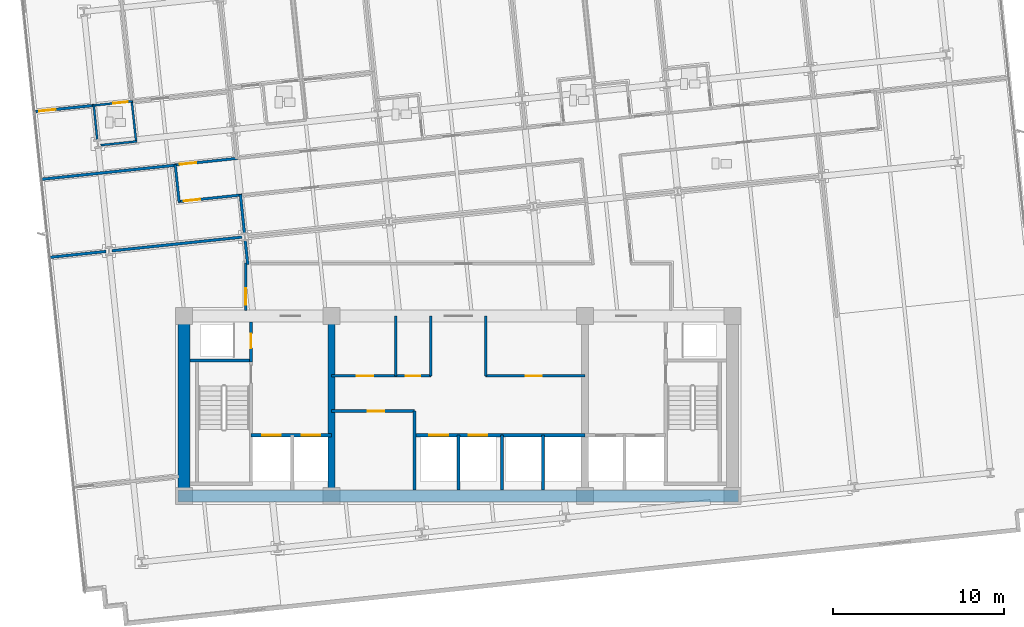
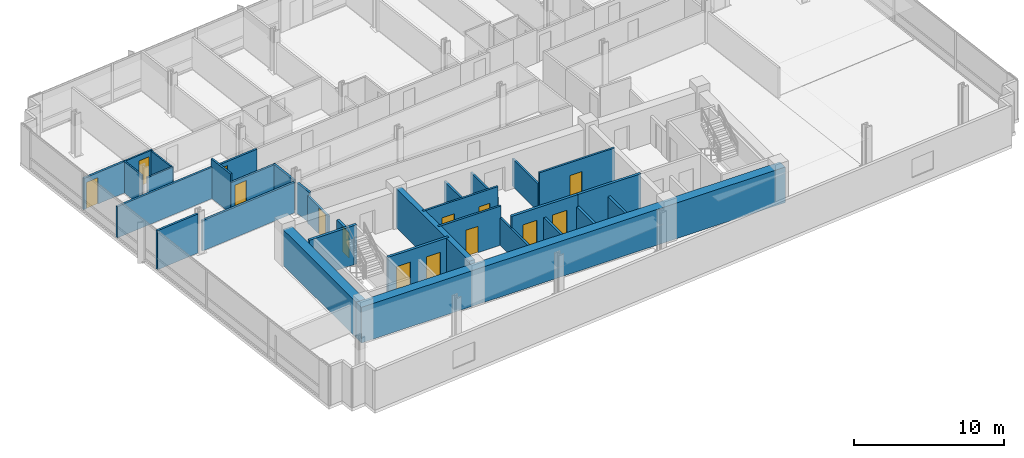
# One storey, part 10 of 17: 32 walls, 14 doors, 14 openings.
"""IFC4 building model written with IfcOpenShell, lengths in metres."""

from ifc_helpers import new_model, si_unit, direction, frame, frame_2d, origin, place, context, subcontext, project, spatial, rectangle, extrude, material, layer, layer_set, type_object, element, fill, save


model = new_model("IFC4")

# Units and contexts
model_context = context("Model", 3, precision=1e-05, world=origin(), true_north=direction((0.0, 1.0)))
body_context = subcontext(model_context, "Body", "Model", "MODEL_VIEW")
ifc_project = project(units=[si_unit("LENGTHUNIT", "METRE"), si_unit("AREAUNIT", "SQUARE_METRE"), si_unit("VOLUMEUNIT", "CUBIC_METRE"), si_unit("PLANEANGLEUNIT", "RADIAN"), si_unit("MASSUNIT", "GRAM", prefix="KILO")], contexts=[model_context])

# Site, building, storey
site_placement = place(None, origin())
site = spatial("IfcSite", under=ifc_project, at=site_placement, CompositionType="ELEMENT")
building_placement = place(site_placement, origin())
building = spatial("IfcBuilding", under=site, at=building_placement, Name="Solmavex Isthmus Hotel", CompositionType="ELEMENT")
storey_placement = place(building_placement, frame((0.0, 0.0, 116.699951171875)))
storey = spatial("IfcBuildingStorey", under=building, at=storey_placement, Name="L31", CompositionType="ELEMENT", Elevation=116.699951171875)

# Wall, opening, door
ifc_material_1 = material(Name="Gypsum plasterboard lining", Category="gypsum")
ifc_layer_1 = layer(ifc_material_1, 0.159912109375)
ifc_layer_set_1 = layer_set([ifc_layer_1], Name="Gypsum plasterboard lining")
wall_type_1 = type_object("IfcWallType", Name="IW-COMP-160", PredefinedType="PARTITIONING", material=ifc_layer_set_1)
wall_1_placement = place(storey_placement, frame((-7.39990234375, -8.050048828125, 0.0), z_axis=(0.0, 0.0, 1.0), x_axis=(1.0, 0.0, 0.0)))
wall_1 = element("IfcWall", 1, at=wall_1_placement, inside=storey, type_object=wall_type_1, Name="Interior Partition Wall W-L31-REC-PLL-N", PredefinedType="PARTITIONING", context=body_context, shape_type="SweptSolid", body=[
    extrude(rectangle(XDim=4.849853515625, YDim=0.159912109375, at=frame_2d((2.4248046875, 0.0))), origin(), (0.0, 0.0, 1.0), 3.18994140625),
])
opening_1_placement = place(wall_1_placement, frame((2.125, 0.0, 0.0)))
opening_1 = element("IfcOpeningElement", 2, at=opening_1_placement, cuts=wall_1, Name="Opening ID-C095", PredefinedType="OPENING", context=body_context, shape_type="SweptSolid", body=[
    extrude(rectangle(XDim=0.949951171875, YDim=2.14990234375, at=frame_2d((0.47509765625, 1.074951171875))), frame((0.0, 0.08984375, 0.0), z_axis=(0.0, -1.0, 0.0), x_axis=(1.0, 0.0, 0.0)), (0.0, 0.0, 1.0), 0.179931640625),
])
ifc_material_2 = material(Name="Hardwood timber", Category="wood")
door_type_1 = type_object("IfcDoorType", Name="IDR-FD60-0950", OperationType="NOTDEFINED", PredefinedType="DOOR", material=ifc_material_2)
door_1_placement = place(opening_1_placement, origin())
door_1 = element("IfcDoor", 3, at=door_1_placement, inside=storey, type_object=door_type_1, Name="Linen Reserve Door L31", OperationType="SINGLE_SWING_LEFT", OverallHeight=2.14990234375, OverallWidth=0.949951171875, PredefinedType="DOOR", context=body_context, shape_type="SweptSolid", body=[
    extrude(rectangle(XDim=0.949951171875, YDim=2.14990234375, at=frame_2d((0.47509765625, 1.074951171875))), frame((0.0, 0.02490234375, 0.0), z_axis=(0.0, -1.0, 0.0), x_axis=(1.0, 0.0, 0.0)), (0.0, 0.0, 1.0), 0.050048828125),
])
fill(opening_1, door_1)

# Wall
wall_2_placement = place(storey_placement, frame((-2.550048828125, -12.64990234375, 0.0), z_axis=(0.0, 0.0, 1.0), x_axis=(0.0, 1.0, 0.0)))
element("IfcWall", 4, at=wall_2_placement, inside=storey, type_object=wall_type_1, Name="Interior Partition Wall W-L31-REC-PLL-E", PredefinedType="PARTITIONING", context=body_context, shape_type="SweptSolid", body=[
    extrude(rectangle(XDim=4.599853515625, YDim=0.159912109375, at=frame_2d((2.2998046875, 0.0))), origin(), (0.0, 0.0, 1.0), 2.22509765625),
])

# Wall, opening, door
wall_3_placement = place(storey_placement, frame((-24.657958984375, 9.431396484375, 0.0), z_axis=(0.0, 0.0, 1.0), x_axis=(0.994518263963, 0.104563008008, 0.0)))
wall_3 = element("IfcWall", 5, at=wall_3_placement, inside=storey, type_object=wall_type_1, Name="Interior Partition Wall W-L31-P026", PredefinedType="PARTITIONING", context=body_context, shape_type="SweptSolid", body=[
    extrude(rectangle(XDim=3.44384765625, YDim=0.159912109375, at=frame_2d((1.721923828125, 0.0))), origin(), (0.0, 0.0, 1.0), 2.55322265625),
])
opening_2_placement = place(wall_3_placement, frame((0.2099609375, 0.0, 0.0)))
opening_2 = element("IfcOpeningElement", 6, at=opening_2_placement, cuts=wall_3, Name="Opening ID-C095", PredefinedType="OPENING", context=body_context, shape_type="SweptSolid", body=[
    extrude(rectangle(XDim=0.949951171875, YDim=2.14990234375, at=frame_2d((0.47509765625, 1.074951171875))), frame((0.0, 0.08984375, 0.0), z_axis=(0.0, -1.0, 0.0), x_axis=(1.0, 0.0, 0.0)), (0.0, 0.0, 1.0), 0.179931640625),
])
door_2_placement = place(opening_2_placement, origin())
door_2 = element("IfcDoor", 7, at=door_2_placement, inside=storey, type_object=door_type_1, Name="Ambassador Panorama Suite Master Bedroom Door L31-02", OperationType="SINGLE_SWING_RIGHT", OverallHeight=2.14990234375, OverallWidth=0.949951171875, PredefinedType="DOOR", context=body_context, shape_type="SweptSolid", body=[
    extrude(rectangle(XDim=0.949951171875, YDim=2.14990234375, at=frame_2d((0.47509765625, 1.074951171875))), frame((0.0, 0.02490234375, 0.0), z_axis=(0.0, -1.0, 0.0), x_axis=(1.0, 0.0, 0.0)), (0.0, 0.0, 1.0), 0.050048828125),
])
fill(opening_2, door_2)

# Walls
wall_4_placement = place(storey_placement, frame((-16.47802734375, 6.301513671875, 0.0), z_axis=(0.0, 0.0, 1.0), x_axis=(-0.994519786396, -0.104548526856, 0.0)))
element("IfcWall", 8, at=wall_4_placement, inside=storey, type_object=wall_type_1, Name="Interior Partition Wall W-L31-P033", PredefinedType="PARTITIONING", context=body_context, shape_type="SweptSolid", body=[
    extrude(rectangle(XDim=7.927978515625, YDim=0.159912109375, at=frame_2d((3.9638671875, 0.0))), origin(), (0.0, 0.0, 1.0), 2.55322265625),
])
wall_5_placement = place(storey_placement, frame((-12.718994140625, 4.594970703125, 0.0), z_axis=(0.0, 0.0, 1.0), x_axis=(0.104569435529, -0.994517588157, 0.0)))
element("IfcWall", 9, at=wall_5_placement, inside=storey, type_object=wall_type_1, Name="Interior Partition Wall W-L31-P072", PredefinedType="PARTITIONING", context=body_context, shape_type="SweptSolid", body=[
    extrude(rectangle(XDim=2.313720703125, YDim=0.159912109375, at=frame_2d((1.15673828125, 0.0))), origin(), (0.0, 0.0, 1.0), 2.4794921875),
])
wall_6_placement = place(storey_placement, frame((-20.558349609375, 1.267333984375, 0.0), z_axis=(0.0, 0.0, 1.0), x_axis=(-0.99451904707, -0.10455555946, 0.0)))
element("IfcWall", 10, at=wall_6_placement, inside=storey, type_object=wall_type_1, Name="Interior Partition Wall W-L31-P073", PredefinedType="PARTITIONING", context=body_context, shape_type="SweptSolid", body=[
    extrude(rectangle(XDim=3.34375, YDim=0.159912109375, at=frame_2d((1.671875, 0.0))), origin(), (0.0, 0.0, 1.0), 3.18994140625),
])
wall_7_placement = place(storey_placement, frame((-12.634033203125, 2.10009765625, 0.0), z_axis=(0.0, 0.0, 1.0), x_axis=(-0.994524056968, -0.104507894972, 0.0)))
element("IfcWall", 11, at=wall_7_placement, inside=storey, type_object=wall_type_1, Name="Interior Partition Wall W-L31-P074", PredefinedType="PARTITIONING", context=body_context, shape_type="SweptSolid", body=[
    extrude(rectangle(XDim=7.61572265625, YDim=0.159912109375, at=frame_2d((3.807861328125, 0.0))), origin(), (0.0, 0.0, 1.0), 2.4794921875),
])
wall_8_placement = place(storey_placement, frame((-12.289794921875, 0.51025390625, 0.0), z_axis=(0.0, 0.0, 1.0), x_axis=(-0.104534854339, 0.994521223619, 0.0)))
element("IfcWall", 12, at=wall_8_placement, inside=storey, type_object=wall_type_1, Name="Interior Partition Wall W-L31-P078", PredefinedType="PARTITIONING", context=body_context, shape_type="SweptSolid", body=[
    extrude(rectangle(XDim=1.44091796875, YDim=0.159912109375, at=frame_2d((0.720458984375, 0.0))), origin(), (0.0, 0.0, 1.0), 2.4794921875),
])

# Wall, openings, doors
ifc_layer_2 = layer(ifc_material_1, 0.14990234375)
ifc_layer_set_2 = layer_set([ifc_layer_2], Name="Gypsum plasterboard lining")
wall_type_2 = type_object("IfcWallType", Name="IW-CORR-150", PredefinedType="PARTITIONING", material=ifc_layer_set_2)
wall_9_placement = place(storey_placement, frame((-7.39990234375, -6.0, 0.0), z_axis=(0.0, 0.0, 1.0), x_axis=(1.0, 0.0, 0.0)))
wall_9 = element("IfcWall", 13, at=wall_9_placement, inside=storey, type_object=wall_type_2, Name="Interior Partition Wall W-L31-BOH-WS", PredefinedType="PARTITIONING", context=body_context, shape_type="SweptSolid", body=[
    extrude(rectangle(XDim=5.7998046875, YDim=0.14990234375, at=frame_2d((2.89990234375, 0.0))), origin(), (0.0, 0.0, 1.0), 3.18994140625),
])
opening_3_placement = place(wall_9_placement, frame((1.47509765625, 0.0, 0.0)))
opening_3 = element("IfcOpeningElement", 14, at=opening_3_placement, cuts=wall_9, Name="Opening ID-C095", PredefinedType="OPENING", context=body_context, shape_type="SweptSolid", body=[
    extrude(rectangle(XDim=0.949951171875, YDim=2.14990234375, at=frame_2d((0.47509765625, 1.074951171875))), frame((0.0, 0.0849609375, 0.0), z_axis=(0.0, -1.0, 0.0), x_axis=(1.0, 0.0, 0.0)), (0.0, 0.0, 1.0), 0.169921875),
])
opening_4_placement = place(wall_9_placement, frame((4.324951171875, 0.0, 0.0)))
opening_4 = element("IfcOpeningElement", 15, at=opening_4_placement, cuts=wall_9, Name="Opening ID-R085", PredefinedType="OPENING", context=body_context, shape_type="SweptSolid", body=[
    extrude(rectangle(XDim=0.85009765625, YDim=2.050048828125, at=frame_2d((0.425048828125, 1.02490234375))), frame((0.0, 0.0849609375, 0.0), z_axis=(0.0, -1.0, 0.0), x_axis=(1.0, 0.0, 0.0)), (0.0, 0.0, 1.0), 0.169921875),
])
ifc_material_3 = material(Name="Steel ASTM A500 Grade C", Category="steel")
door_type_2 = type_object("IfcDoorType", Name="IDR-FD60-0850", OperationType="NOTDEFINED", PredefinedType="DOOR", material=ifc_material_3)
door_3_placement = place(opening_4_placement, frame((0.85009765625, 0.0, 0.0), z_axis=(0.0, 0.0, 1.0), x_axis=(-1.0, 0.0, 0.0)))
door_3 = element("IfcDoor", 16, at=door_3_placement, inside=storey, type_object=door_type_2, Name="Cleaner Closet Door L31", OperationType="SINGLE_SWING_RIGHT", OverallHeight=2.050048828125, OverallWidth=0.85009765625, PredefinedType="DOOR", context=body_context, shape_type="SweptSolid", body=[
    extrude(rectangle(XDim=0.85009765625, YDim=2.050048828125, at=frame_2d((0.425048828125, 1.02490234375))), frame((0.0, 0.02490234375, 0.0), z_axis=(0.0, -1.0, 0.0), x_axis=(1.0, 0.0, 0.0)), (0.0, 0.0, 1.0), 0.050048828125),
])
fill(opening_4, door_3)
door_4_placement = place(opening_3_placement, frame((0.949951171875, 0.0, 0.0), z_axis=(0.0, 0.0, 1.0), x_axis=(-1.0, 0.0, 0.0)))
door_4 = element("IfcDoor", 17, at=door_4_placement, inside=storey, type_object=door_type_1, Name="Housekeeping Store Door L31", OperationType="SINGLE_SWING_LEFT", OverallHeight=2.14990234375, OverallWidth=0.949951171875, PredefinedType="DOOR", context=body_context, shape_type="SweptSolid", body=[
    extrude(rectangle(XDim=0.949951171875, YDim=2.14990234375, at=frame_2d((0.47509765625, 1.074951171875))), frame((0.0, 0.02490234375, 0.0), z_axis=(0.0, -1.0, 0.0), x_axis=(1.0, 0.0, 0.0)), (0.0, 0.0, 1.0), 0.050048828125),
])
fill(opening_3, door_4)

# Wall
wall_10_placement = place(storey_placement, frame((-1.60009765625, -6.0, 0.0), z_axis=(0.0, 0.0, 1.0), x_axis=(0.0, 1.0, 0.0)))
element("IfcWall", 18, at=wall_10_placement, inside=storey, type_object=wall_type_2, Name="Interior Partition Wall W-L31-BOH-WE", PredefinedType="PARTITIONING", context=body_context, shape_type="SweptSolid", body=[
    extrude(rectangle(XDim=3.5, YDim=0.14990234375, at=frame_2d((1.75, 0.0))), origin(), (0.0, 0.0, 1.0), 2.22509765625),
])

# Wall, opening, door
wall_11_placement = place(storey_placement, frame((1.60009765625, -6.0, 0.0), z_axis=(0.0, 0.0, 1.0), x_axis=(1.0, 0.0, 0.0)))
wall_11 = element("IfcWall", 19, at=wall_11_placement, inside=storey, type_object=wall_type_2, Name="Interior Partition Wall W-L31-BOH-ES", PredefinedType="PARTITIONING", context=body_context, shape_type="SweptSolid", body=[
    extrude(rectangle(XDim=5.7998046875, YDim=0.14990234375, at=frame_2d((2.89990234375, 0.0))), origin(), (0.0, 0.0, 1.0), 3.18994140625),
])
opening_5_placement = place(wall_11_placement, frame((2.324951171875, 0.0, 0.0)))
opening_5 = element("IfcOpeningElement", 20, at=opening_5_placement, cuts=wall_11, Name="Opening ID-C095", PredefinedType="OPENING", context=body_context, shape_type="SweptSolid", body=[
    extrude(rectangle(XDim=0.949951171875, YDim=2.14990234375, at=frame_2d((0.47509765625, 1.074951171875))), frame((0.0, 0.0849609375, 0.0), z_axis=(0.0, -1.0, 0.0), x_axis=(1.0, 0.0, 0.0)), (0.0, 0.0, 1.0), 0.169921875),
])
door_5_placement = place(opening_5_placement, frame((0.949951171875, 0.0, 0.0), z_axis=(0.0, 0.0, 1.0), x_axis=(-1.0, 0.0, 0.0)))
door_5 = element("IfcDoor", 21, at=door_5_placement, inside=storey, type_object=door_type_1, Name="Butler Pantry Door L31", OperationType="SINGLE_SWING_RIGHT", OverallHeight=2.14990234375, OverallWidth=0.949951171875, PredefinedType="DOOR", context=body_context, shape_type="SweptSolid", body=[
    extrude(rectangle(XDim=0.949951171875, YDim=2.14990234375, at=frame_2d((0.47509765625, 1.074951171875))), frame((0.0, 0.02490234375, 0.0), z_axis=(0.0, -1.0, 0.0), x_axis=(1.0, 0.0, 0.0)), (0.0, 0.0, 1.0), 0.050048828125),
])
fill(opening_5, door_5)

# Wall
wall_12_placement = place(storey_placement, frame((1.60009765625, -6.0, 0.0), z_axis=(0.0, 0.0, 1.0), x_axis=(0.0, 1.0, 0.0)))
element("IfcWall", 22, at=wall_12_placement, inside=storey, type_object=wall_type_2, Name="Interior Partition Wall W-L31-BOH-EW", PredefinedType="PARTITIONING", context=body_context, shape_type="SweptSolid", body=[
    extrude(rectangle(XDim=3.5, YDim=0.14990234375, at=frame_2d((1.75, 0.0))), origin(), (0.0, 0.0, 1.0), 2.22509765625),
])

# Wall, opening, door
wall_13_placement = place(storey_placement, frame((-16.5595703125, 6.31298828125, 0.0), z_axis=(0.0, 0.0, 1.0), x_axis=(0.994525204328, 0.104496975826, 0.0)))
wall_13 = element("IfcWall", 23, at=wall_13_placement, inside=storey, type_object=wall_type_2, Name="Interior Partition Wall W-L31-P001", PredefinedType="PARTITIONING", context=body_context, shape_type="SweptSolid", body=[
    extrude(rectangle(XDim=3.7216796875, YDim=0.14990234375, at=frame_2d((1.86083984375, 0.0))), origin(), (0.0, 0.0, 1.0), 2.4794921875),
])
opening_6_placement = place(wall_13_placement, frame((0.315185546875, 0.0, 0.0)))
opening_6 = element("IfcOpeningElement", 24, at=opening_6_placement, cuts=wall_13, Name="Opening ID-C095", PredefinedType="OPENING", context=body_context, shape_type="SweptSolid", body=[
    extrude(rectangle(XDim=0.949951171875, YDim=2.14990234375, at=frame_2d((0.47509765625, 1.074951171875))), frame((0.0, 0.0849609375, 0.0), z_axis=(0.0, -1.0, 0.0), x_axis=(1.0, 0.0, 0.0)), (0.0, 0.0, 1.0), 0.169921875),
])
door_6_placement = place(opening_6_placement, frame((0.949951171875, 0.0, 0.0), z_axis=(0.0, 0.0, 1.0), x_axis=(-1.0, 0.0, 0.0)))
door_6 = element("IfcDoor", 25, at=door_6_placement, inside=storey, type_object=door_type_1, Name="Ambassador Panorama Suite Living Salon Door L31-01", OperationType="SINGLE_SWING_LEFT", OverallHeight=2.14990234375, OverallWidth=0.949951171875, PredefinedType="DOOR", context=body_context, shape_type="SweptSolid", body=[
    extrude(rectangle(XDim=0.949951171875, YDim=2.14990234375, at=frame_2d((0.47509765625, 1.074951171875))), frame((0.0, 0.02490234375, 0.0), z_axis=(0.0, -1.0, 0.0), x_axis=(1.0, 0.0, 0.0)), (0.0, 0.0, 1.0), 0.050048828125),
])
fill(opening_6, door_6)

wall_14_placement = place(storey_placement, frame((-12.63330078125, 4.563720703125, 0.0), z_axis=(0.0, 0.0, 1.0), x_axis=(-0.994525920558, -0.104490159046, 0.0)))
wall_14 = element("IfcWall", 26, at=wall_14_placement, inside=storey, type_object=wall_type_2, Name="Interior Partition Wall W-L31-P014", PredefinedType="PARTITIONING", context=body_context, shape_type="SweptSolid", body=[
    extrude(rectangle(XDim=3.721923828125, YDim=0.14990234375, at=frame_2d((1.86083984375, 0.0))), origin(), (0.0, 0.0, 1.0), 2.4794921875),
])
opening_7_placement = place(wall_14_placement, frame((2.456787109375, 0.0, 0.0)))
opening_7 = element("IfcOpeningElement", 27, at=opening_7_placement, cuts=wall_14, Name="Opening ID-C095", PredefinedType="OPENING", context=body_context, shape_type="SweptSolid", body=[
    extrude(rectangle(XDim=0.949951171875, YDim=2.14990234375, at=frame_2d((0.47509765625, 1.074951171875))), frame((0.0, 0.0849609375, 0.0), z_axis=(0.0, -1.0, 0.0), x_axis=(1.0, 0.0, 0.0)), (0.0, 0.0, 1.0), 0.169921875),
])
door_7_placement = place(opening_7_placement, frame((0.949951171875, 0.0, 0.0), z_axis=(0.0, 0.0, 1.0), x_axis=(-1.0, 0.0, 0.0)))
door_7 = element("IfcDoor", 28, at=door_7_placement, inside=storey, type_object=door_type_1, Name="Catering Servery Kitchen Door L31-19", OperationType="SINGLE_SWING_LEFT", OverallHeight=2.14990234375, OverallWidth=0.949951171875, PredefinedType="DOOR", context=body_context, shape_type="SweptSolid", body=[
    extrude(rectangle(XDim=0.949951171875, YDim=2.14990234375, at=frame_2d((0.47509765625, 1.074951171875))), frame((0.0, 0.02490234375, 0.0), z_axis=(0.0, -1.0, 0.0), x_axis=(1.0, 0.0, 0.0)), (0.0, 0.0, 1.0), 0.050048828125),
])
fill(opening_7, door_7)

# Wall
wall_15_placement = place(storey_placement, frame((-16.291015625, 4.13916015625, 0.0), z_axis=(0.0, 0.0, 1.0), x_axis=(-0.104512255544, 0.994523598735, 0.0)))
element("IfcWall", 29, at=wall_15_placement, inside=storey, type_object=wall_type_2, Name="Interior Partition Wall W-L31-P015", PredefinedType="PARTITIONING", context=body_context, shape_type="SweptSolid", body=[
    extrude(rectangle(XDim=2.2099609375, YDim=0.14990234375, at=frame_2d((1.10498046875, 0.0))), origin(), (0.0, 0.0, 1.0), 3.18994140625),
])

# Wall, opening, door
wall_16_placement = place(storey_placement, frame((-12.39990234375, -2.18994140625, 0.0), z_axis=(0.0, 0.0, 1.0), x_axis=(0.0, 1.0, 0.0)))
wall_16 = element("IfcWall", 30, at=wall_16_placement, inside=storey, type_object=wall_type_2, Name="Interior Partition Wall W-L31-P020", PredefinedType="PARTITIONING", context=body_context, shape_type="SweptSolid", body=[
    extrude(rectangle(XDim=2.780029296875, YDim=0.14990234375, at=frame_2d((1.39013671875, 0.0))), origin(), (0.0, 0.0, 1.0), 2.22509765625),
])
opening_8_placement = place(wall_16_placement, frame((0.347900390625, 0.0, 0.0)))
opening_8 = element("IfcOpeningElement", 31, at=opening_8_placement, cuts=wall_16, Name="Opening ID-C095", PredefinedType="OPENING", context=body_context, shape_type="SweptSolid", body=[
    extrude(rectangle(XDim=0.949951171875, YDim=2.14990234375, at=frame_2d((0.47509765625, 1.074951171875))), frame((0.0, 0.0849609375, 0.0), z_axis=(0.0, -1.0, 0.0), x_axis=(1.0, 0.0, 0.0)), (0.0, 0.0, 1.0), 0.169921875),
])
door_8_placement = place(opening_8_placement, frame((0.949951171875, 0.0, 0.0), z_axis=(0.0, 0.0, 1.0), x_axis=(-1.0, 0.0, 0.0)))
door_8 = element("IfcDoor", 32, at=door_8_placement, inside=storey, type_object=door_type_1, Name="Seminar Meeting Room Door L31-22", OperationType="SINGLE_SWING_RIGHT", OverallHeight=2.14990234375, OverallWidth=0.949951171875, PredefinedType="DOOR", context=body_context, shape_type="SweptSolid", body=[
    extrude(rectangle(XDim=0.949951171875, YDim=2.14990234375, at=frame_2d((0.47509765625, 1.074951171875))), frame((0.0, 0.02490234375, 0.0), z_axis=(0.0, -1.0, 0.0), x_axis=(1.0, 0.0, 0.0)), (0.0, 0.0, 1.0), 0.050048828125),
])
fill(opening_8, door_8)

# Walls
ifc_layer_3 = layer(ifc_material_1, 0.1201171875)
ifc_layer_set_3 = layer_set([ifc_layer_3], Name="Gypsum plasterboard lining")
wall_type_3 = type_object("IfcWallType", Name="IW-PART-120", PredefinedType="PARTITIONING", material=ifc_layer_set_3)
wall_17_placement = place(storey_placement, frame((-3.64990234375, -6.0, 0.0), z_axis=(0.0, 0.0, 1.0), x_axis=(0.0, 1.0, 0.0)))
element("IfcWall", 33, at=wall_17_placement, inside=storey, type_object=wall_type_3, Name="Interior Partition Wall W-L31-BOH-WM1", PredefinedType="PARTITIONING", context=body_context, shape_type="SweptSolid", body=[
    extrude(rectangle(XDim=3.5, YDim=0.14990234375, at=frame_2d((1.75, 0.0))), origin(), (0.0, 0.0, 1.0), 2.22509765625),
])
wall_18_placement = place(storey_placement, frame((-21.276611328125, 9.8271484375, 0.0), z_axis=(0.0, 0.0, 1.0), x_axis=(0.099583786525, -0.995029180206, 0.0)))
element("IfcWall", 34, at=wall_18_placement, inside=storey, type_object=wall_type_3, Name="Interior Partition Wall W-L31-P028", PredefinedType="PARTITIONING", context=body_context, shape_type="SweptSolid", body=[
    extrude(rectangle(XDim=2.11328125, YDim=0.1201171875, at=frame_2d((1.056640625, 0.0))), origin(), (0.0, 0.0, 1.0), 2.55322265625),
])
wall_19_placement = place(storey_placement, frame((-20.8662109375, 7.467041015625, 0.0), z_axis=(0.0, 0.0, 1.0), x_axis=(0.994521229742, 0.10453479608, 0.0)))
element("IfcWall", 35, at=wall_19_placement, inside=storey, type_object=wall_type_3, Name="Interior Partition Wall W-L31-P029", PredefinedType="PARTITIONING", context=body_context, shape_type="SweptSolid", body=[
    extrude(rectangle(XDim=2.118408203125, YDim=0.1201171875, at=frame_2d((1.05908203125, 0.0))), origin(), (0.0, 0.0, 1.0), 2.4794921875),
])
wall_20_placement = place(storey_placement, frame((-18.794921875, 7.64453125, 0.0), z_axis=(0.0, 0.0, 1.0), x_axis=(-0.108700221405, 0.994074575606, 0.0)))
element("IfcWall", 36, at=wall_20_placement, inside=storey, type_object=wall_type_3, Name="Interior Partition Wall W-L31-P030", PredefinedType="PARTITIONING", context=body_context, shape_type="SweptSolid", body=[
    extrude(rectangle(XDim=2.43017578125, YDim=0.1201171875, at=frame_2d((1.215087890625, 0.0))), origin(), (0.0, 0.0, 1.0), 2.4794921875),
])

# Wall, opening, door
wall_21_placement = place(storey_placement, frame((-19.005126953125, 10.025634765625, 0.0), z_axis=(0.0, 0.0, 1.0), x_axis=(-0.99452742736, -0.104475816474, 0.0)))
wall_21 = element("IfcWall", 37, at=wall_21_placement, inside=storey, type_object=wall_type_3, Name="Interior Partition Wall W-L31-P035", PredefinedType="PARTITIONING", context=body_context, shape_type="SweptSolid", body=[
    extrude(rectangle(XDim=2.371826171875, YDim=0.1201171875, at=frame_2d((1.18603515625, 0.0))), origin(), (0.0, 0.0, 1.0), 2.55322265625),
])
opening_9_placement = place(wall_21_placement, frame((0.27978515625, 0.0, 0.0)))
opening_9 = element("IfcOpeningElement", 38, at=opening_9_placement, cuts=wall_21, Name="Opening ID-U085", PredefinedType="OPENING", context=body_context, shape_type="SweptSolid", body=[
    extrude(rectangle(XDim=0.85009765625, YDim=2.10009765625, at=frame_2d((0.425048828125, 1.050048828125))), frame((0.0, 0.070068359375, 0.0), z_axis=(0.0, -1.0, 0.0), x_axis=(1.0, 0.0, 0.0)), (0.0, 0.0, 1.0), 0.14013671875),
])
door_type_3 = type_object("IfcDoorType", Name="IDR-UNR-0850", OperationType="NOTDEFINED", PredefinedType="DOOR", material=ifc_material_2)
door_9_placement = place(opening_9_placement, frame((0.85009765625, 0.0, 0.0), z_axis=(0.0, 0.0, 1.0), x_axis=(-1.0, 0.0, 0.0)))
door_9 = element("IfcDoor", 39, at=door_9_placement, inside=storey, type_object=door_type_3, Name="En-suite Bathroom Door L31-04", OperationType="SINGLE_SWING_RIGHT", OverallHeight=2.10009765625, OverallWidth=0.85009765625, PredefinedType="DOOR", context=body_context, shape_type="SweptSolid", body=[
    extrude(rectangle(XDim=0.85009765625, YDim=2.10009765625, at=frame_2d((0.425048828125, 1.050048828125))), frame((0.0, 0.02490234375, 0.0), z_axis=(0.0, -1.0, 0.0), x_axis=(1.0, 0.0, 0.0)), (0.0, 0.0, 1.0), 0.050048828125),
])
fill(opening_9, door_9)

# Walls
ifc_material_4 = material(Name="Concrete C40/50", Category="concrete")
ifc_layer_4 = layer(ifc_material_4, 0.179931640625)
ifc_layer_set_4 = layer_set([ifc_layer_4], Name="Concrete C40/50")
wall_type_4 = type_object("IfcWallType", Name="IW-SHAFT-180", PredefinedType="PARTITIONING", material=ifc_layer_set_4)
for number, where, z_axis, x_axis, name in (
    (40, (0.0, -12.64990234375, 0.0), (0.0, 0.0, 1.0), (0.0, 1.0, 0.0), "Interior Partition Wall W-L31-SH-PLM-M"),
    (41, (4.949951171875, -12.64990234375, 0.0), (0.0, 0.0, 1.0), (0.0, 1.0, 0.0), "Interior Partition Wall W-L31-SH-PLH-M"),
):
    element("IfcWall", number, at=place(storey_placement, frame(where, z_axis=z_axis, x_axis=x_axis)), inside=storey, type_object=wall_type_4, Name=name, PredefinedType="PARTITIONING", context=body_context, shape_type="SweptSolid", body=[
        extrude(rectangle(XDim=3.199951171875, YDim=0.179931640625, at=frame_2d((1.60009765625, 0.0))), origin(), (0.0, 0.0, 1.0), 2.22509765625),
    ])

# Wall, opening, door
ifc_layer_5 = layer(ifc_material_4, 0.199951171875)
ifc_layer_set_5 = layer_set([ifc_layer_5], Name="Concrete C40/50")
wall_type_5 = type_object("IfcWallType", Name="IW-SHAFT-200", PredefinedType="PARTITIONING", material=ifc_layer_set_5)
wall_22_placement = place(storey_placement, frame((-12.10009765625, -5.199951171875, 0.0), z_axis=(0.0, 0.0, 1.0), x_axis=(0.0, 1.0, 0.0)))
wall_22 = element("IfcWall", 42, at=wall_22_placement, inside=storey, type_object=wall_type_5, Name="Interior Partition Wall W-L31-RSW-E", PredefinedType="PARTITIONING", context=body_context, shape_type="SweptSolid", body=[
    extrude(rectangle(XDim=2.349853515625, YDim=0.199951171875, at=frame_2d((1.1748046875, 0.0))), origin(), (0.0, 0.0, 1.0), 2.22509765625),
])
opening_10_placement = place(wall_22_placement, frame((0.824951171875, 0.0, 0.0)))
opening_10 = element("IfcOpeningElement", 43, at=opening_10_placement, cuts=wall_22, Name="Opening ID-R085", PredefinedType="OPENING", context=body_context, shape_type="SweptSolid", body=[
    extrude(rectangle(XDim=0.85009765625, YDim=2.050048828125, at=frame_2d((0.425048828125, 1.02490234375))), frame((0.0, 0.10986328125, 0.0), z_axis=(0.0, -1.0, 0.0), x_axis=(1.0, 0.0, 0.0)), (0.0, 0.0, 1.0), 0.219970703125),
])
door_10_placement = place(opening_10_placement, origin())
door_10 = element("IfcDoor", 44, at=door_10_placement, inside=storey, type_object=door_type_2, Name="Electrical Riser Door L31", OperationType="SINGLE_SWING_RIGHT", OverallHeight=2.050048828125, OverallWidth=0.85009765625, PredefinedType="DOOR", context=body_context, shape_type="SweptSolid", body=[
    extrude(rectangle(XDim=0.85009765625, YDim=2.050048828125, at=frame_2d((0.425048828125, 1.02490234375))), frame((0.0, 0.02490234375, 0.0), z_axis=(0.0, -1.0, 0.0), x_axis=(1.0, 0.0, 0.0)), (0.0, 0.0, 1.0), 0.050048828125),
])
fill(opening_10, door_10)

# Wall, openings, doors
wall_23_placement = place(storey_placement, frame((-12.10009765625, -9.449951171875, 0.0), z_axis=(0.0, 0.0, 1.0), x_axis=(1.0, 0.0, 0.0)))
wall_23 = element("IfcWall", 45, at=wall_23_placement, inside=storey, type_object=wall_type_5, Name="Interior Partition Wall W-L31-FFLW-S", PredefinedType="PARTITIONING", context=body_context, shape_type="SweptSolid", body=[
    extrude(rectangle(XDim=4.7001953125, YDim=0.199951171875, at=frame_2d((2.35009765625, 0.0))), origin(), (0.0, 0.0, 1.0), 3.18994140625),
])
opening_11_placement = place(wall_23_placement, frame((0.64990234375, 0.0, 0.0)))
opening_11 = element("IfcOpeningElement", 46, at=opening_11_placement, cuts=wall_23, Name="Opening LD-FF", PredefinedType="OPENING", context=body_context, shape_type="SweptSolid", body=[
    extrude(rectangle(XDim=1.10009765625, YDim=2.199951171875, at=frame_2d((0.550048828125, 1.10009765625))), frame((0.0, 0.10986328125, 0.0), z_axis=(0.0, -1.0, 0.0), x_axis=(1.0, 0.0, 0.0)), (0.0, 0.0, 1.0), 0.219970703125),
])
opening_12_placement = place(wall_23_placement, frame((2.949951171875, 0.0, 0.0)))
opening_12 = element("IfcOpeningElement", 47, at=opening_12_placement, cuts=wall_23, Name="Opening LD-SV", PredefinedType="OPENING", context=body_context, shape_type="SweptSolid", body=[
    extrude(rectangle(XDim=1.10009765625, YDim=2.199951171875, at=frame_2d((0.550048828125, 1.10009765625))), frame((0.0, 0.10986328125, 0.0), z_axis=(0.0, -1.0, 0.0), x_axis=(1.0, 0.0, 0.0)), (0.0, 0.0, 1.0), 0.219970703125),
])
ifc_material_5 = material(Name="Stainless steel 316", Category="steel")
door_type_4 = type_object("IfcDoorType", Name="LDR-FF-1100", OperationType="NOTDEFINED", PredefinedType="DOOR", material=ifc_material_5)
door_11_placement = place(opening_11_placement, origin())
door_11 = element("IfcDoor", 48, at=door_11_placement, inside=storey, type_object=door_type_4, Name="Lift Landing Door FFL-1 L31", OperationType="SLIDING_TO_LEFT", OverallHeight=2.199951171875, OverallWidth=1.10009765625, PredefinedType="DOOR", context=body_context, shape_type="SweptSolid", body=[
    extrude(rectangle(XDim=1.10009765625, YDim=2.199951171875, at=frame_2d((0.550048828125, 1.10009765625))), frame((0.0, 0.02490234375, 0.0), z_axis=(0.0, -1.0, 0.0), x_axis=(1.0, 0.0, 0.0)), (0.0, 0.0, 1.0), 0.050048828125),
])
fill(opening_11, door_11)
door_type_5 = type_object("IfcDoorType", Name="LDR-SV-1100", OperationType="NOTDEFINED", PredefinedType="DOOR", material=ifc_material_5)
door_12_placement = place(opening_12_placement, origin())
door_12 = element("IfcDoor", 49, at=door_12_placement, inside=storey, type_object=door_type_5, Name="Lift Landing Door SVL-1 L31", OperationType="SLIDING_TO_RIGHT", OverallHeight=2.199951171875, OverallWidth=1.10009765625, PredefinedType="DOOR", context=body_context, shape_type="SweptSolid", body=[
    extrude(rectangle(XDim=1.10009765625, YDim=2.199951171875, at=frame_2d((0.550048828125, 1.10009765625))), frame((0.0, 0.02490234375, 0.0), z_axis=(0.0, -1.0, 0.0), x_axis=(1.0, 0.0, 0.0)), (0.0, 0.0, 1.0), 0.050048828125),
])
fill(opening_12, door_12)

wall_24_placement = place(storey_placement, frame((-2.550048828125, -9.449951171875, 0.0), z_axis=(0.0, 0.0, 1.0), x_axis=(1.0, 0.0, 0.0)))
wall_24 = element("IfcWall", 50, at=wall_24_placement, inside=storey, type_object=wall_type_5, Name="Interior Partition Wall W-L31-SH-PLM", PredefinedType="PARTITIONING", context=body_context, shape_type="SweptSolid", body=[
    extrude(rectangle(XDim=5.10009765625, YDim=0.199951171875, at=frame_2d((2.550048828125, 0.0))), origin(), (0.0, 0.0, 1.0), 3.18994140625),
])
opening_13_placement = place(wall_24_placement, frame((0.85009765625, 0.0, 0.0)))
opening_13 = element("IfcOpeningElement", 51, at=opening_13_placement, cuts=wall_24, Name="Opening LD-PL", PredefinedType="OPENING", context=body_context, shape_type="SweptSolid", body=[
    extrude(rectangle(XDim=1.10009765625, YDim=2.199951171875, at=frame_2d((0.550048828125, 1.10009765625))), frame((0.0, 0.10986328125, 0.0), z_axis=(0.0, -1.0, 0.0), x_axis=(1.0, 0.0, 0.0)), (0.0, 0.0, 1.0), 0.219970703125),
])
opening_14_placement = place(wall_24_placement, frame((3.14990234375, 0.0, 0.0)))
opening_14 = element("IfcOpeningElement", 52, at=opening_14_placement, cuts=wall_24, Name="Opening LD-PL", PredefinedType="OPENING", context=body_context, shape_type="SweptSolid", body=[
    extrude(rectangle(XDim=1.10009765625, YDim=2.199951171875, at=frame_2d((0.550048828125, 1.10009765625))), frame((0.0, 0.10986328125, 0.0), z_axis=(0.0, -1.0, 0.0), x_axis=(1.0, 0.0, 0.0)), (0.0, 0.0, 1.0), 0.219970703125),
])
door_type_6 = type_object("IfcDoorType", Name="LDR-PL-1100", OperationType="NOTDEFINED", PredefinedType="DOOR", material=ifc_material_5)
door_13_placement = place(opening_13_placement, origin())
door_13 = element("IfcDoor", 53, at=door_13_placement, inside=storey, type_object=door_type_6, Name="Lift Landing Door PLM1 L31", OperationType="SLIDING_TO_RIGHT", OverallHeight=2.199951171875, OverallWidth=1.10009765625, PredefinedType="DOOR", context=body_context, shape_type="SweptSolid", body=[
    extrude(rectangle(XDim=1.10009765625, YDim=2.199951171875, at=frame_2d((0.550048828125, 1.10009765625))), frame((0.0, 0.02490234375, 0.0), z_axis=(0.0, -1.0, 0.0), x_axis=(1.0, 0.0, 0.0)), (0.0, 0.0, 1.0), 0.050048828125),
])
fill(opening_13, door_13)
door_14_placement = place(opening_14_placement, origin())
door_14 = element("IfcDoor", 54, at=door_14_placement, inside=storey, type_object=door_type_6, Name="Lift Landing Door PLM2 L31", OperationType="SLIDING_TO_RIGHT", OverallHeight=2.199951171875, OverallWidth=1.10009765625, PredefinedType="DOOR", context=body_context, shape_type="SweptSolid", body=[
    extrude(rectangle(XDim=1.10009765625, YDim=2.199951171875, at=frame_2d((0.550048828125, 1.10009765625))), frame((0.0, 0.02490234375, 0.0), z_axis=(0.0, -1.0, 0.0), x_axis=(1.0, 0.0, 0.0)), (0.0, 0.0, 1.0), 0.050048828125),
])
fill(opening_14, door_14)

# Walls
wall_25_placement = place(storey_placement, frame((2.550048828125, -12.64990234375, 0.0), z_axis=(0.0, 0.0, 1.0), x_axis=(0.0, 1.0, 0.0)))
element("IfcWall", 55, at=wall_25_placement, inside=storey, type_object=wall_type_5, Name="Interior Partition Wall W-L31-SH-PLM-E", PredefinedType="PARTITIONING", context=body_context, shape_type="SweptSolid", body=[
    extrude(rectangle(XDim=3.199951171875, YDim=0.199951171875, at=frame_2d((1.60009765625, 0.0))), origin(), (0.0, 0.0, 1.0), 2.22509765625),
])
wall_26_placement = place(storey_placement, frame((2.550048828125, -9.449951171875, 0.0), z_axis=(0.0, 0.0, 1.0), x_axis=(1.0, 0.0, 0.0)))
element("IfcWall", 56, at=wall_26_placement, inside=storey, type_object=wall_type_5, Name="Interior Partition Wall W-L31-SH-PLH", PredefinedType="PARTITIONING", context=body_context, shape_type="SweptSolid", body=[
    extrude(rectangle(XDim=4.849853515625, YDim=0.199951171875, at=frame_2d((2.4248046875, 0.0))), origin(), (0.0, 0.0, 1.0), 3.18994140625),
])
ifc_material_6 = material(Name="Concrete C60/75", Category="concrete")
ifc_layer_6 = layer(ifc_material_6, 0.39990234375)
ifc_layer_set_6 = layer_set([ifc_layer_6], Name="Concrete C60/75")
wall_type_6 = type_object("IfcWallType", Name="WALL-CW-400M", PredefinedType="SHEAR", material=ifc_layer_set_6)
wall_27_placement = place(storey_placement, frame((-7.39990234375, -12.64990234375, 0.0), z_axis=(0.0, 0.0, 1.0), x_axis=(0.0, 1.0, 0.0)))
element("IfcWall", 57, at=wall_27_placement, inside=storey, type_object=wall_type_6, Name="Core Cross Shear Wall C1 L31", PredefinedType="SHEAR", context=body_context, shape_type="SweptSolid", body=[
    extrude(rectangle(XDim=9.7998046875, YDim=0.39990234375, at=frame_2d((4.89990234375, 0.0))), origin(), (0.0, 0.0, 1.0), 3.18994140625),
])
ifc_layer_7 = layer(ifc_material_6, 0.699951171875)
ifc_layer_set_7 = layer_set([ifc_layer_7], Name="Concrete C60/75")
wall_type_7 = type_object("IfcWallType", Name="WALL-CW-700", PredefinedType="SHEAR", material=ifc_layer_set_7)
wall_28_placement = place(storey_placement, frame((-16.35009765625, -13.0, 0.0), z_axis=(0.0, 0.0, 1.0), x_axis=(1.0, 0.0, 0.0)))
element("IfcWall", 58, at=wall_28_placement, inside=storey, type_object=wall_type_7, Name="Core Shear Wall South L31", PredefinedType="SHEAR", context=body_context, shape_type="SweptSolid", body=[
    extrude(rectangle(XDim=32.7001953125, YDim=0.699951171875, at=frame_2d((16.35009765625, 0.0))), origin(), (0.0, 0.0, 1.0), 2.91015625),
])
wall_29_placement = place(storey_placement, frame((-16.0, -12.64990234375, 0.0), z_axis=(0.0, 0.0, 1.0), x_axis=(0.0, 1.0, 0.0)))
element("IfcWall", 59, at=wall_29_placement, inside=storey, type_object=wall_type_7, Name="Core Shear Wall West L31", PredefinedType="SHEAR", context=body_context, shape_type="SweptSolid", body=[
    extrude(rectangle(XDim=9.7998046875, YDim=0.699951171875, at=frame_2d((4.89990234375, 0.0))), origin(), (0.0, 0.0, 1.0), 2.91015625),
])
ifc_layer_8 = layer(ifc_material_4, 0.199951171875)
ifc_layer_set_8 = layer_set([ifc_layer_8], Name="Concrete C40/50")
wall_type_8 = type_object("IfcWallType", Name="WALL-SW-200", PredefinedType="SOLIDWALL", material=ifc_layer_set_8)
wall_30_placement = place(storey_placement, frame((-15.64990234375, -5.10009765625, 0.0), z_axis=(0.0, 0.0, 1.0), x_axis=(1.0, 0.0, 0.0)))
element("IfcWall", 60, at=wall_30_placement, inside=storey, type_object=wall_type_8, Name="Stairwell Structural Wall SW-L31-ST1-N", PredefinedType="SOLIDWALL", context=body_context, shape_type="SweptSolid", body=[
    extrude(rectangle(XDim=3.64990234375, YDim=0.199951171875, at=frame_2d((1.824951171875, 0.0))), origin(), (0.0, 0.0, 1.0), 3.18994140625),
])

save(model, "model.ifc")
